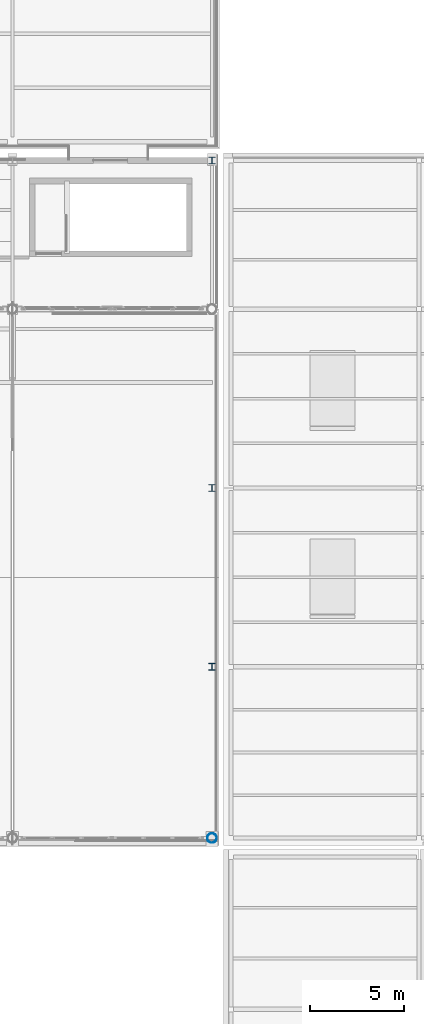
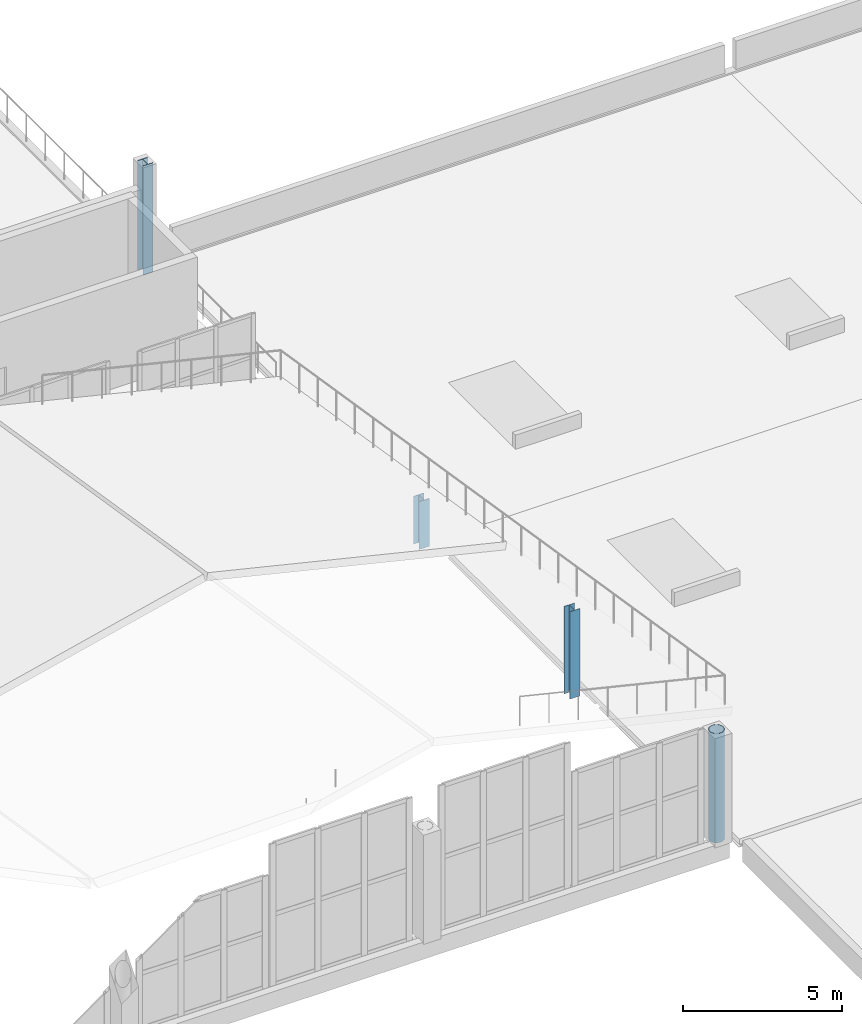
# One storey, part 9 of 120: 4 columns.
"""IFC4 building model written with IfcOpenShell, lengths in metres."""

from ifc_helpers import new_model, si_unit, direction, frame, origin, origin_2d, place, context, subcontext, project, spatial, hollow_circle, i_section, extrude, material, material_profile, profile_set, type_object, element, save


model = new_model("IFC4")

# Units and contexts
model_context = context("Model", 3, precision=1e-05, world=origin(), true_north=direction((0.0, 1.0)))
body_context = subcontext(model_context, "Body", "Model", "MODEL_VIEW")
ifc_project = project(units=[si_unit("LENGTHUNIT", "METRE"), si_unit("AREAUNIT", "SQUARE_METRE"), si_unit("VOLUMEUNIT", "CUBIC_METRE"), si_unit("PLANEANGLEUNIT", "RADIAN"), si_unit("MASSUNIT", "GRAM", prefix="KILO")], contexts=[model_context])

# Site, building, storey
site_placement = place(None, origin())
site = spatial("IfcSite", under=ifc_project, at=site_placement, CompositionType="ELEMENT")
building_placement = place(site_placement, origin())
building = spatial("IfcBuilding", under=site, at=building_placement, Name="Caurita Quay Ferry Terminal", CompositionType="ELEMENT")
storey_placement = place(building_placement, frame((0.0, 0.0, 9.89990234375)))
storey = spatial("IfcBuildingStorey", under=building, at=storey_placement, Name="L02", CompositionType="ELEMENT", Elevation=9.89990234375)

# Columns
ifc_material_1 = material(Name="Hollow structural steel ASTM A500 Gr. C", Category="steel")
ifc_material_profile_1 = material_profile(ifc_material_1, hollow_circle(Radius=0.25390625, WallThickness=0.01171875, at=origin_2d()), Name="HSS20.000X0.500")
ifc_profile_set_1 = profile_set([ifc_material_profile_1], Name="Hollow structural steel ASTM A500 Gr. C")
column_type_1 = type_object("IfcColumnType", Name="COL-MST-01", PredefinedType="COLUMN", material=ifc_profile_set_1)
column_1_placement = place(storey_placement, frame((131.800048828125, 34.60009765625, 0.0), z_axis=(0.0, 0.0, 1.0), x_axis=(1.0, 0.0, 0.0)))
element("IfcColumn", 1, at=column_1_placement, inside=storey, type_object=column_type_1, Name="L02 Column V2-MST-14-S", PredefinedType="COLUMN", context=body_context, shape_type="SweptSolid", body=[
    extrude(hollow_circle(Radius=0.25390625, WallThickness=0.01171875, at=origin_2d()), origin(), (0.0, 0.0, 1.0), 4.2001953125),
])
ifc_material_2 = material(Name="Structural steel ASTM A992 Gr. 50", Category="steel")
ifc_material_profile_2 = material_profile(ifc_material_2, i_section(OverallWidth=0.370849609375, OverallDepth=0.36328125, WebThickness=0.01318359375, FlangeThickness=0.021728515625, FilletRadius=0.017822265625, at=origin_2d()), Name="W14X109")
ifc_profile_set_2 = profile_set([ifc_material_profile_2], Name="Structural steel ASTM A992 Gr. 50")
column_type_2 = type_object("IfcColumnType", Name="COL-STL-08", PredefinedType="COLUMN", material=ifc_profile_set_2)
column_2_placement = place(storey_placement, frame((131.800048828125, 43.699951171875, 0.0), z_axis=(0.0, 0.0, 1.0), x_axis=(1.0, 0.0, 0.0)))
element("IfcColumn", 2, at=column_2_placement, inside=storey, type_object=column_type_2, Name="L02 Column V2-GBL-14-G", PredefinedType="COLUMN", context=body_context, shape_type="SweptSolid", body=[
    extrude(i_section(OverallWidth=0.370849609375, OverallDepth=0.36328125, WebThickness=0.01318359375, FlangeThickness=0.021728515625, FilletRadius=0.017822265625, at=origin_2d()), origin(), (0.0, 0.0, 1.0), 3.360107421875),
])
column_3_placement = place(storey_placement, frame((131.800048828125, 53.199951171875, 0.0), z_axis=(0.0, 0.0, 1.0), x_axis=(1.0, 0.0, 0.0)))
element("IfcColumn", 3, at=column_3_placement, inside=storey, type_object=column_type_2, Name="L02 Column V2-GBL-14-H", PredefinedType="COLUMN", context=body_context, shape_type="SweptSolid", body=[
    extrude(i_section(OverallWidth=0.370849609375, OverallDepth=0.36328125, WebThickness=0.01318359375, FlangeThickness=0.021728515625, FilletRadius=0.017822265625, at=origin_2d()), origin(), (0.0, 0.0, 1.0), 1.840087890625),
])
ifc_material_profile_3 = material_profile(ifc_material_2, i_section(OverallWidth=0.367919921875, OverallDepth=0.35595703125, WebThickness=0.01123046875, FlangeThickness=0.01806640625, at=origin_2d()), Name="W14X90")
ifc_profile_set_3 = profile_set([ifc_material_profile_3], Name="Structural steel ASTM A992 Gr. 50")
column_type_3 = type_object("IfcColumnType", Name="COL-STL-09", PredefinedType="COLUMN", material=ifc_profile_set_3)
column_4_placement = place(storey_placement, frame((131.800048828125, 70.60009765625, 0.0), z_axis=(0.0, 0.0, 1.0), x_axis=(1.0, 0.0, 0.0)))
element("IfcColumn", 4, at=column_4_placement, inside=storey, type_object=column_type_3, Name="L02 Column V2-NTH-14-K", PredefinedType="COLUMN", context=body_context, shape_type="SweptSolid", body=[
    extrude(i_section(OverallWidth=0.367919921875, OverallDepth=0.35595703125, WebThickness=0.01123046875, FlangeThickness=0.01806640625, at=origin_2d()), origin(), (0.0, 0.0, 1.0), 4.2001953125),
])

save(model, "model.ifc")
